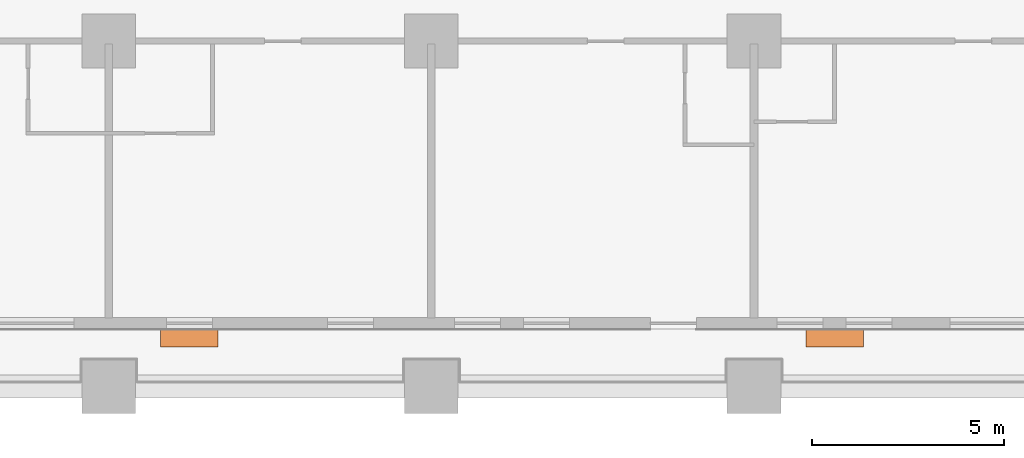
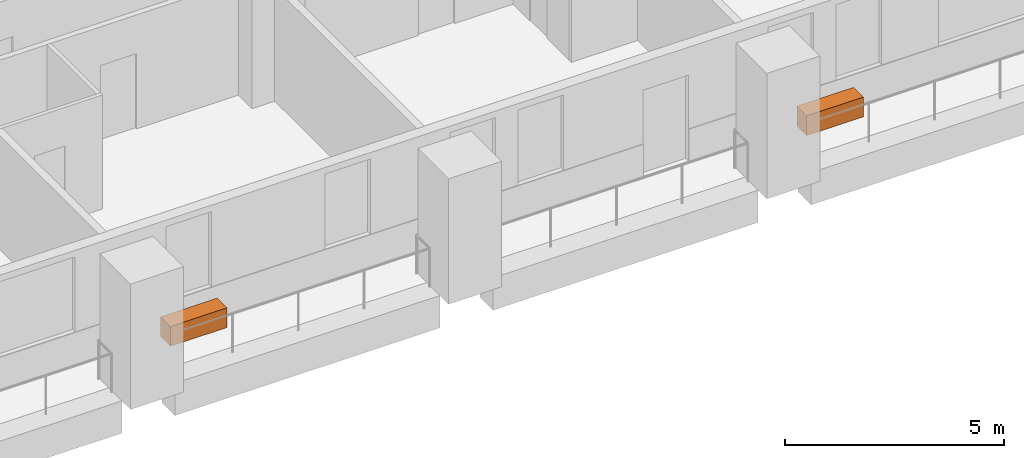
# One storey, part 13 of 13: 2 proxies.
"""IFC4 building model written with IfcOpenShell, lengths in metres."""

from ifc_helpers import new_model, si_unit, direction, frame, origin, origin_2d, place, context, subcontext, project, spatial, rectangle, extrude, element, save


model = new_model("IFC4")

# Units and contexts
model_context = context("Model", 3, precision=1e-05, world=origin(), true_north=direction((0.0, 1.0)))
body_context = subcontext(model_context, "Body", "Model", "MODEL_VIEW")
ifc_project = project(units=[si_unit("LENGTHUNIT", "METRE"), si_unit("AREAUNIT", "SQUARE_METRE"), si_unit("VOLUMEUNIT", "CUBIC_METRE"), si_unit("PLANEANGLEUNIT", "RADIAN"), si_unit("MASSUNIT", "GRAM", prefix="KILO")], contexts=[model_context])

# Site, building, storey
site_placement = place(None, origin())
site = spatial("IfcSite", under=ifc_project, at=site_placement, CompositionType="ELEMENT")
building_placement = place(site_placement, origin())
building = spatial("IfcBuilding", under=site, at=building_placement, Name="Candeia Pilgrim Tower and Theatre", CompositionType="ELEMENT")
storey_placement = place(building_placement, frame((0.0, 0.0, 60.0)))
storey = spatial("IfcBuildingStorey", under=building, at=storey_placement, Name="L12", CompositionType="ELEMENT", Elevation=60.0)

# Proxies
for number, where, z_axis, x_axis, name in (
    (1, (102.89990234375, 99.2548828125, 0.0), (0.0, 0.0, 1.0), (1.0, 0.0, 0.0), "Planter"),
    (2, (119.699951171875, 99.2548828125, 0.0), (0.0, 0.0, 1.0), (1.0, 0.0, 0.0), "Planter"),
):
    element("IfcBuildingElementProxy", number, at=place(storey_placement, frame(where, z_axis=z_axis, x_axis=x_axis)), inside=storey, Name=name, ObjectType="PLANTER", PredefinedType="USERDEFINED", context=body_context, shape_type="SweptSolid", body=[
        extrude(rectangle(XDim=1.5, YDim=0.449951171875, at=origin_2d()), origin(), (0.0, 0.0, 1.0), 0.550048828125),
    ])

save(model, "model.ifc")
